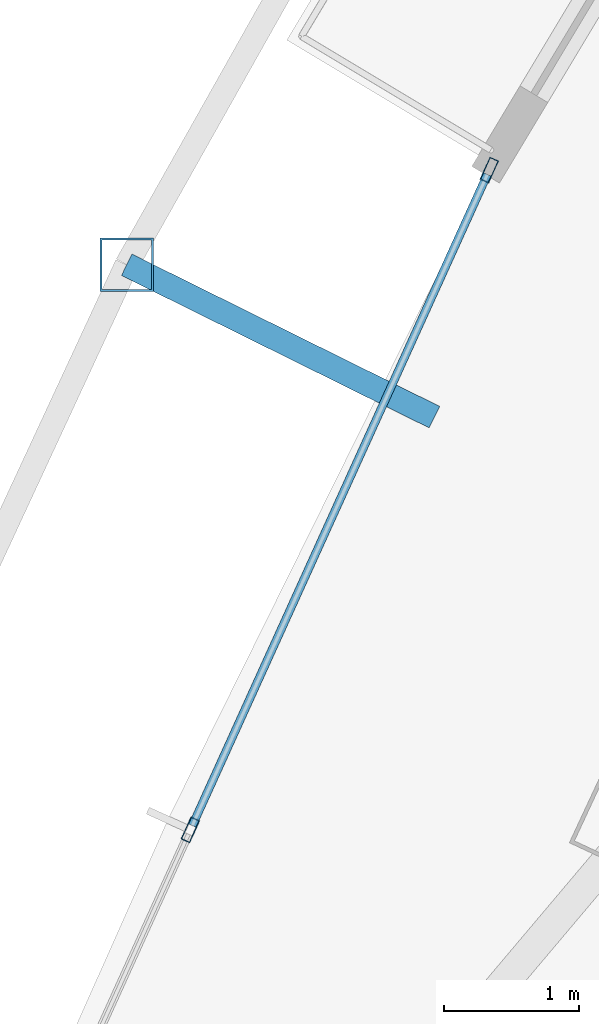
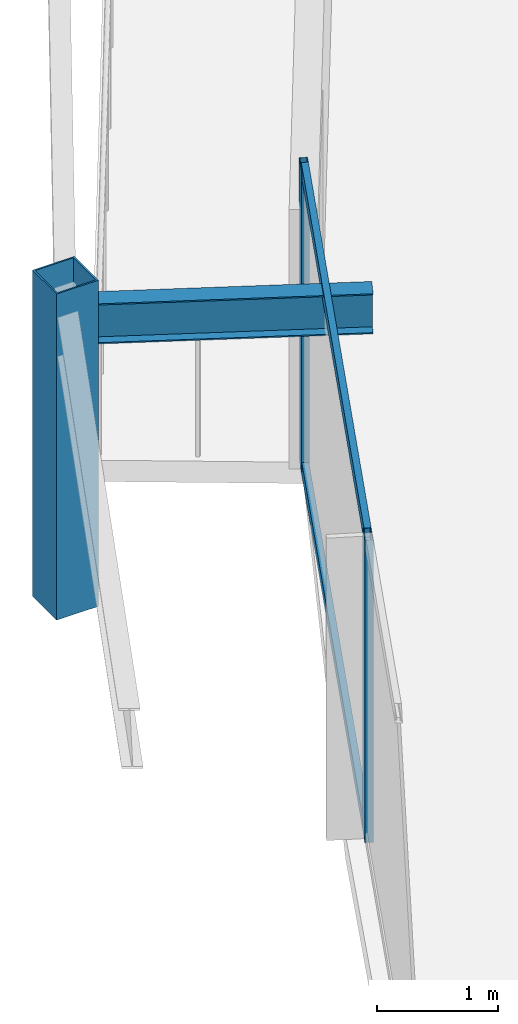
# One storey, part 10 of 29: 5 members, 1 beam, 1 element without a shape of its own.
"""IFC4 building model written with IfcOpenShell, lengths in metres."""

from ifc_helpers import new_model, si_unit, direction, frame, origin, origin_2d, place, context, subcontext, project, spatial, hollow_rectangle, i_section, extrude, material, layer, layer_set, material_profile, profile_set, type_object, element, aggregate, save


model = new_model("IFC4")

# Units and contexts
model_context = context("Model", 3, precision=1e-05, world=origin(), true_north=direction((0.0, 1.0)))
body_context = subcontext(model_context, "Body", "Model", "MODEL_VIEW")
ifc_project = project(units=[si_unit("LENGTHUNIT", "METRE"), si_unit("AREAUNIT", "SQUARE_METRE"), si_unit("VOLUMEUNIT", "CUBIC_METRE"), si_unit("PLANEANGLEUNIT", "RADIAN"), si_unit("MASSUNIT", "GRAM", prefix="KILO")], contexts=[model_context])

# Site, building, storey
site_placement = place(None, origin())
site = spatial("IfcSite", under=ifc_project, at=site_placement, CompositionType="ELEMENT")
building_placement = place(site_placement, origin())
building = spatial("IfcBuilding", under=site, at=building_placement, Name="Orvanel Arch Residences", CompositionType="ELEMENT")
storey_placement = place(building_placement, frame((0.0, 0.0, 173.75)))
storey = spatial("IfcBuildingStorey", under=building, at=storey_placement, Name="L49", CompositionType="ELEMENT", Elevation=173.75)

# Curtain wall, members
ifc_material_1 = material(Name="Bronze-anodised aluminium AA6063-T6", Category="aluminium")
ifc_layer = layer(ifc_material_1, 0.179931640625)
ifc_layer_set = layer_set([ifc_layer], Name="Bronze-anodised aluminium AA6063-T6")
curtain_wall_type = type_object("IfcCurtainWallType", Name="CW3-MID-SYS", PredefinedType="NOTDEFINED", material=ifc_layer_set)
curtain_wall_placement = place(storey_placement, origin())
curtain_wall = element("IfcCurtainWall", 1, at=curtain_wall_placement, inside=storey, type_object=curtain_wall_type, Name="L49 CW3-MID-SYS Unitised Curtain Wall", PredefinedType="NOTDEFINED")
ifc_material_profile_1 = material_profile(ifc_material_1, hollow_rectangle(XDim=0.070068359375, YDim=0.179931640625, WallThickness=0.00439453125, at=origin_2d()), Name="ALU180x70x4.5")
ifc_profile_set_1 = profile_set([ifc_material_profile_1], Name="Bronze-anodised aluminium AA6063-T6")
member_type_1 = type_object("IfcMemberType", Name="MUL-180x70", PredefinedType="MULLION", material=ifc_profile_set_1)
member_1_placement = place(storey_placement, frame((15.20751953125, 24.43115234375, 0.0), z_axis=(0.0, 0.0, 1.0), x_axis=(0.910855054441, -0.412726386119, 0.0)))
member_1 = element("IfcMember", 2, at=member_1_placement, type_object=member_type_1, Name="CW-S3 mullion 1", PredefinedType="MULLION", context=body_context, shape_type="SweptSolid", body=[
    extrude(hollow_rectangle(XDim=0.070068359375, YDim=0.179931640625, WallThickness=0.00439453125, at=origin_2d()), origin(), (0.0, 0.0, 1.0), 3.06005859375),
])
member_2_placement = place(storey_placement, frame((12.987548828125, 19.531982421875, 0.0), z_axis=(0.0, 0.0, 1.0), x_axis=(0.910855054441, -0.412726386119, 0.0)))
member_2 = element("IfcMember", 3, at=member_2_placement, type_object=member_type_1, Name="CW-S3 mullion 2", PredefinedType="MULLION", context=body_context, shape_type="SweptSolid", body=[
    extrude(hollow_rectangle(XDim=0.070068359375, YDim=0.179931640625, WallThickness=0.00439453125, at=origin_2d()), origin(), (0.0, 0.0, 1.0), 3.06005859375),
])

# Beam
ifc_material_2 = material(Name="Structural steel AS/NZS 3679.1 Grade 300 (300 MPa)", Category="steel")
ifc_material_profile_2 = material_profile(ifc_material_2, i_section(OverallWidth=0.177978515625, OverallDepth=0.406005859375, WebThickness=0.0078125, FlangeThickness=0.0126953125, at=origin_2d()), Name="410UB59.7")
ifc_profile_set_2 = profile_set([ifc_material_profile_2], Name="Structural steel AS/NZS 3679.1 Grade 300 (300 MPa)")
beam_type = type_object("IfcBeamType", Name="OB-410UB-EXT", PredefinedType="SPANDREL", material=ifc_profile_set_2)
beam_placement = place(storey_placement, frame((14.800048828125, 22.596923828125, 2.85693359375), z_axis=(-0.896220045396, 0.44360977247, 0.0), x_axis=(-0.44360977247, -0.896220045396, 0.0)))
element("IfcBeam", 4, at=beam_placement, inside=storey, type_object=beam_type, Name="L49 Outer Frame Radial Tie Beam 03", PredefinedType="SPANDREL", context=body_context, shape_type="SweptSolid", body=[
    extrude(i_section(OverallWidth=0.177978515625, OverallDepth=0.406005859375, WebThickness=0.0078125, FlangeThickness=0.0126953125, at=origin_2d()), origin(), (0.0, 0.0, 1.0), 2.5498046875),
])

# Member
ifc_material_3 = material(Name="Structural steel AS/NZS 1163 C450L0 (Grade 450)", Category="steel")
ifc_material_profile_3 = material_profile(ifc_material_3, hollow_rectangle(XDim=0.39990234375, YDim=0.39990234375, WallThickness=0.01611328125, at=origin_2d()), Name="SHS400x400x16")
ifc_profile_set_3 = profile_set([ifc_material_profile_3], Name="Structural steel AS/NZS 1163 C450L0 (Grade 450)")
member_type_2 = type_object("IfcMemberType", Name="ST-400SHS-EXT", PredefinedType="STRUT", material=ifc_profile_set_3)
member_3_placement = place(storey_placement, frame((12.514892578125, 23.72802734375, 0.0), z_axis=(0.0, 0.0, 1.0), x_axis=(1.0, 0.0, 0.0)))
element("IfcMember", 5, at=member_3_placement, inside=storey, type_object=member_type_2, Name="L49 Outer Perimeter Frame Post 03", PredefinedType="STRUT", context=body_context, shape_type="SweptSolid", body=[
    extrude(hollow_rectangle(XDim=0.39990234375, YDim=0.39990234375, WallThickness=0.01611328125, at=origin_2d()), origin(), (0.0, 0.0, 1.0), 3.300048828125),
])

ifc_material_profile_4 = material_profile(ifc_material_1, hollow_rectangle(XDim=0.06005859375, YDim=0.135009765625, WallThickness=0.00390625, at=origin_2d()), Name="ALU135x60x4")
ifc_profile_set_4 = profile_set([ifc_material_profile_4], Name="Bronze-anodised aluminium AA6063-T6")
member_type_3 = type_object("IfcMemberType", Name="TRN-135x60", PredefinedType="USERDEFINED", material=ifc_profile_set_4)
member_4_placement = place(storey_placement, frame((15.193115234375, 24.399169921875, 0.030029296875), z_axis=(-0.412725011307, -0.910855677394, 0.0), x_axis=(0.910855677394, -0.412725011307, 0.0)))
member_4 = element("IfcMember", 6, at=member_4_placement, type_object=member_type_3, Name="CW-S3 transom 1.1", ObjectType="TRANSOM", PredefinedType="USERDEFINED", context=body_context, shape_type="SweptSolid", body=[
    extrude(hollow_rectangle(XDim=0.06005859375, YDim=0.135009765625, WallThickness=0.00390625, at=origin_2d()), origin(), (0.0, 0.0, 1.0), 5.308349609375),
])

member_5_placement = place(storey_placement, frame((15.193115234375, 24.399169921875, 3.030029296875), z_axis=(-0.412725011307, -0.910855677394, 0.0), x_axis=(0.910855677394, -0.412725011307, 0.0)))
member_5 = element("IfcMember", 7, at=member_5_placement, type_object=member_type_3, Name="CW-S3 transom 1.2", ObjectType="TRANSOM", PredefinedType="USERDEFINED", context=body_context, shape_type="SweptSolid", body=[
    extrude(hollow_rectangle(XDim=0.06005859375, YDim=0.135009765625, WallThickness=0.00390625, at=origin_2d()), origin(), (0.0, 0.0, 1.0), 5.308349609375),
])

aggregate(curtain_wall, [member_1, member_2, member_4, member_5])

save(model, "model.ifc")
